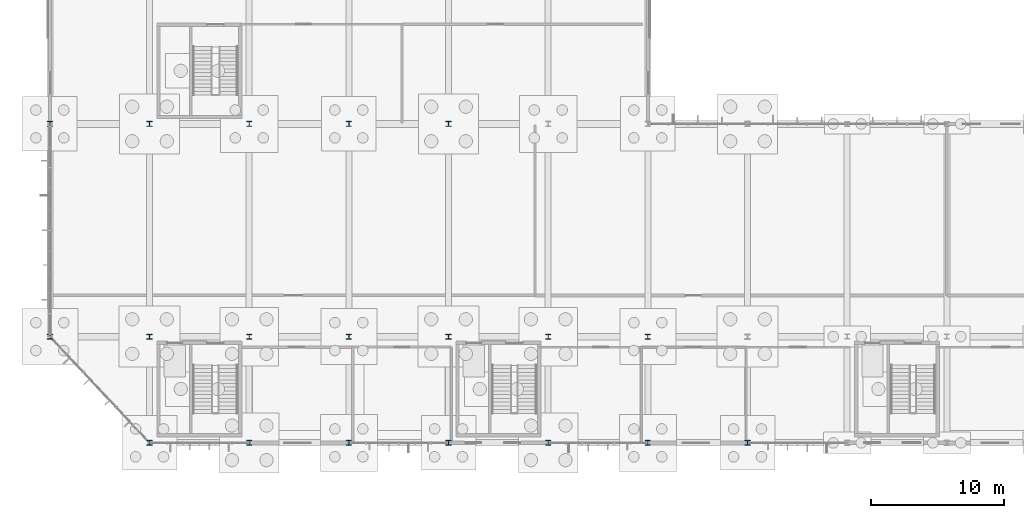
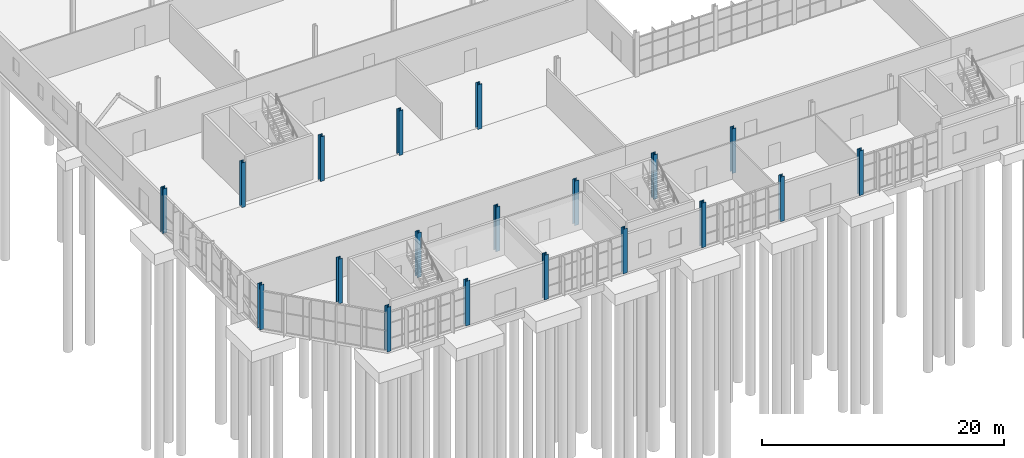
# One storey, part 10 of 136: 19 columns.
"""IFC4 building model written with IfcOpenShell, lengths in metres."""

from ifc_helpers import new_model, si_unit, direction, frame, origin, origin_2d, place, context, subcontext, project, spatial, i_section, extrude, material, material_profile, profile_set, type_object, element, save


model = new_model("IFC4")

# Units and contexts
model_context = context("Model", 3, precision=1e-05, world=origin(), true_north=direction((0.0, 1.0)))
body_context = subcontext(model_context, "Body", "Model", "MODEL_VIEW")
ifc_project = project(units=[si_unit("LENGTHUNIT", "METRE"), si_unit("AREAUNIT", "SQUARE_METRE"), si_unit("VOLUMEUNIT", "CUBIC_METRE"), si_unit("PLANEANGLEUNIT", "RADIAN"), si_unit("MASSUNIT", "GRAM", prefix="KILO")], contexts=[model_context])

# Site, building, storey
site_placement = place(None, origin())
site = spatial("IfcSite", under=ifc_project, at=site_placement, CompositionType="ELEMENT")
building_placement = place(site_placement, origin())
building = spatial("IfcBuilding", under=site, at=building_placement, Name="Solvenia Promenade Tram Depot", CompositionType="ELEMENT")
storey_placement = place(building_placement, origin())
storey = spatial("IfcBuildingStorey", under=building, at=storey_placement, Name="L00", CompositionType="ELEMENT", Elevation=0.0)

# Columns
ifc_material = material(Name="Structural steel ASTM A992 Gr. 50", Category="steel")
ifc_material_profile = material_profile(ifc_material, i_section(OverallWidth=0.39404296875, OverallDepth=0.375, WebThickness=0.0205078125, FlangeThickness=0.033203125, FilletRadius=0.01806640625, at=origin_2d()), Name="W360x216", Category="steel")
ifc_profile_set = profile_set([ifc_material_profile], Name="Structural steel ASTM A992 Gr. 50")
column_type = type_object("IfcColumnType", Name="Col-W360x216", PredefinedType="COLUMN", material=ifc_profile_set)
for number, where, z_axis, x_axis, name in (
    (1, (0.0, 8.0, 0.0), (0.0, 0.0, 1.0), (1.0, 0.0, 0.0), "Steel Column COL-L00-001"),
    (2, (0.0, 24.0, 0.0), (0.0, 0.0, 1.0), (1.0, 0.0, 0.0), "Steel Column COL-L00-004"),
    (3, (7.5, 0.0, 0.0), (0.0, 0.0, 1.0), (1.0, 0.0, 0.0), "Steel Column COL-L00-016"),
    (4, (7.5, 8.0, 0.0), (0.0, 0.0, 1.0), (1.0, 0.0, 0.0), "Steel Column COL-L00-019"),
    (5, (7.5, 24.0, 0.0), (0.0, 0.0, 1.0), (1.0, 0.0, 0.0), "Steel Column COL-L00-022"),
    (6, (15.0, 0.0, 0.0), (0.0, 0.0, 1.0), (1.0, 0.0, 0.0), "Steel Column COL-L00-034"),
    (7, (15.0, 8.0, 0.0), (0.0, 0.0, 1.0), (1.0, 0.0, 0.0), "Steel Column COL-L00-037"),
    (8, (15.0, 24.0, 0.0), (0.0, 0.0, 1.0), (1.0, 0.0, 0.0), "Steel Column COL-L00-040"),
    (9, (22.5, 0.0, 0.0), (0.0, 0.0, 1.0), (1.0, 0.0, 0.0), "Steel Column COL-L00-052"),
    (10, (22.5, 8.0, 0.0), (0.0, 0.0, 1.0), (1.0, 0.0, 0.0), "Steel Column COL-L00-055"),
    (11, (22.5, 24.0, 0.0), (0.0, 0.0, 1.0), (1.0, 0.0, 0.0), "Steel Column COL-L00-058"),
    (12, (30.0, 0.0, 0.0), (0.0, 0.0, 1.0), (1.0, 0.0, 0.0), "Steel Column COL-L00-070"),
    (13, (30.0, 8.0, 0.0), (0.0, 0.0, 1.0), (1.0, 0.0, 0.0), "Steel Column COL-L00-073"),
    (14, (30.0, 24.0, 0.0), (0.0, 0.0, 1.0), (1.0, 0.0, 0.0), "Steel Column COL-L00-076"),
    (15, (37.5, 0.0, 0.0), (0.0, 0.0, 1.0), (1.0, 0.0, 0.0), "Steel Column COL-L00-088"),
    (16, (37.5, 8.0, 0.0), (0.0, 0.0, 1.0), (1.0, 0.0, 0.0), "Steel Column COL-L00-091"),
    (17, (45.0, 0.0, 0.0), (0.0, 0.0, 1.0), (1.0, 0.0, 0.0), "Steel Column COL-L00-106"),
    (18, (45.0, 8.0, 0.0), (0.0, 0.0, 1.0), (1.0, 0.0, 0.0), "Steel Column COL-L00-109"),
    (19, (52.5, 0.0, 0.0), (0.0, 0.0, 1.0), (1.0, 0.0, 0.0), "Steel Column COL-L00-124"),
):
    element("IfcColumn", number, at=place(storey_placement, frame(where, z_axis=z_axis, x_axis=x_axis)), inside=storey, type_object=column_type, Name=name, PredefinedType="COLUMN", context=body_context, shape_type="SweptSolid", body=[
        extrude(i_section(OverallWidth=0.39404296875, OverallDepth=0.375, WebThickness=0.0205078125, FlangeThickness=0.033203125, FilletRadius=0.01806640625, at=origin_2d()), origin(), (0.0, 0.0, 1.0), 4.5),
    ])

save(model, "model.ifc")
